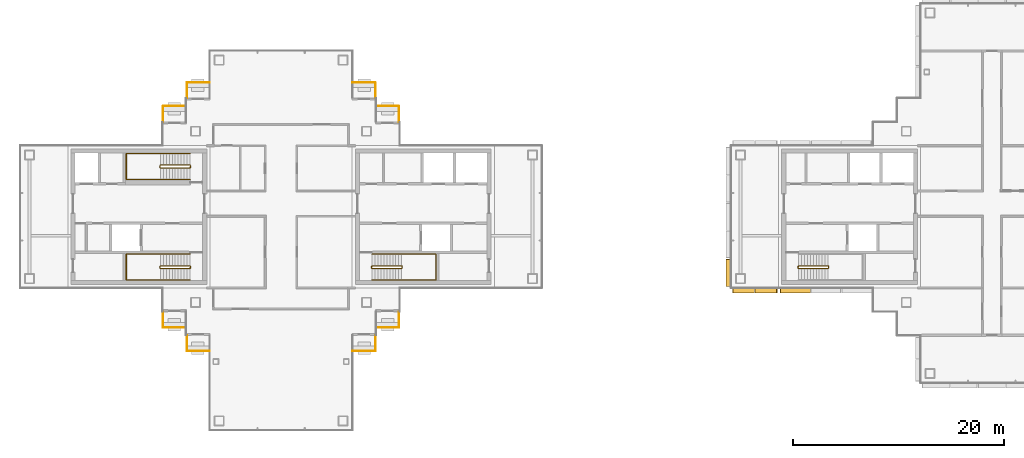
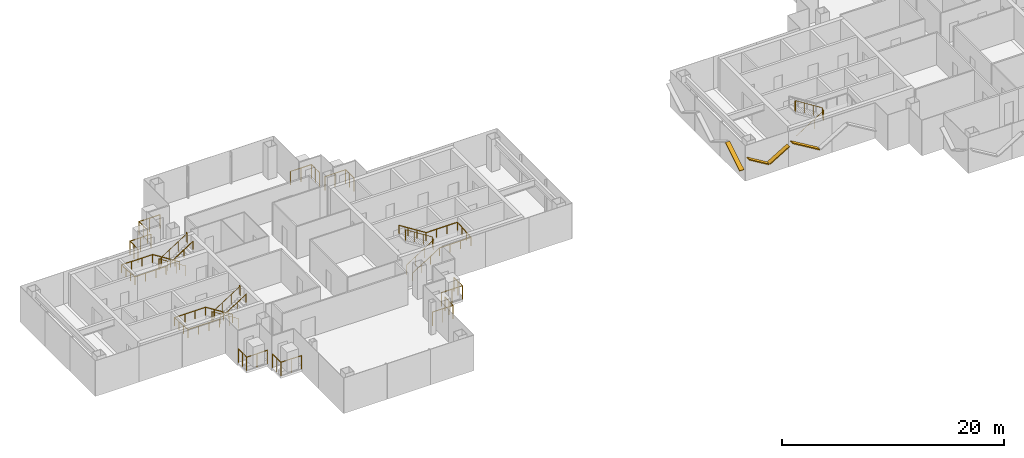
# One storey, part 14 of 17: 15 railings, 4 shading devices.
"""IFC4 building model written with IfcOpenShell, lengths in metres."""

import ifcopenshell
import ifcopenshell.guid

model = None  # the IFC model being written
_history = None  # IfcOwnerHistory: only IFC2X3 demands one
_inside = {}  # id of a spatial element -> (the spatial element, [elements in it])
_under = {}  # id of a project, library or spatial element -> (it, [spatial elements below it])
_declared = {}  # id of a project -> (the project, [libraries it declares])
_typed = {}  # id of a type object -> (the type object, [elements of that type])
_made_of = {}  # id of a material, layer set ... -> (it, [elements and type objects made of it])


def new_model(schema):
    """Start an empty IFC model of exactly this schema.

    Asked for "IFC4X3", IfcOpenShell would pick the latest addendum, in which some entities
    have other attributes; the version numbers below select the first issue.
    IFC2X3 requires an IfcOwnerHistory on every rooted entity: one is made here for all.
    """
    global model, _history
    if schema == "IFC4X3":
        model = ifcopenshell.file(schema_version=(4, 3, 0, 0))
    else:
        model = ifcopenshell.file(schema=schema)
    _inside.clear()
    _under.clear()
    _declared.clear()
    _typed.clear()
    _made_of.clear()
    _history = None
    if model.schema == "IFC2X3":
        org = make("IfcOrganization", Name="unknown")
        user = make(
            "IfcPersonAndOrganization",
            ThePerson=make("IfcPerson", FamilyName="unknown"),
            TheOrganization=org,
        )
        app = make(
            "IfcApplication",
            ApplicationDeveloper=org,
            Version="unknown",
            ApplicationFullName="unknown",
            ApplicationIdentifier="unknown",
        )
        _history = make(
            "IfcOwnerHistory",
            OwningUser=user,
            OwningApplication=app,
            ChangeAction="ADDED",
            CreationDate=0,
        )
    return model


def make(cls, **values):
    """One entity of the class cls with the attributes given. An attribute that is None is left unset."""
    return model.create_entity(
        cls, **{name: value for name, value in values.items() if value is not None}
    )


def rooted(cls, **values):
    """An entity with a GlobalId (a new one), such as an element, a storey or a relation."""
    return make(cls, GlobalId=ifcopenshell.guid.new(), OwnerHistory=_history, **values)


def si_unit(unit_type, name, prefix=None):
    """IfcSIUnit, for example si_unit("LENGTHUNIT", "METRE", prefix="MILLI")."""
    return make("IfcSIUnit", UnitType=unit_type, Prefix=prefix, Name=name)


def assignment(units):
    """IfcUnitAssignment: the units of a project."""
    return None if units is None else make("IfcUnitAssignment", Units=units)


def point(xyz):
    """IfcCartesianPoint."""
    return None if xyz is None else make("IfcCartesianPoint", Coordinates=xyz)


def direction(xyz):
    """IfcDirection."""
    return None if xyz is None else make("IfcDirection", DirectionRatios=xyz)


def frame(location, z_axis=None, x_axis=None):
    """IfcAxis2Placement3D, a coordinate frame: its origin and axes. An axis left out is left unset."""
    return make(
        "IfcAxis2Placement3D",
        Location=point(location),
        Axis=direction(z_axis),
        RefDirection=direction(x_axis),
    )


def frame_2d(location, x_axis=None):
    """IfcAxis2Placement2D, a coordinate frame in the plane: its origin and x axis."""
    return make(
        "IfcAxis2Placement2D", Location=point(location), RefDirection=direction(x_axis)
    )


def origin():
    """The frame at (0, 0, 0) with its axes left unset."""
    return frame((0.0, 0.0, 0.0))


def origin_2d():
    """The frame at (0, 0) in the plane with its x axis left unset."""
    return frame_2d((0.0, 0.0))


def place(relative_to, where):
    """IfcLocalPlacement: puts the frame where relative to a parent placement (None: the world)."""
    return make(
        "IfcLocalPlacement", PlacementRelTo=relative_to, RelativePlacement=where
    )


def context(
    kind, dimensions, precision=None, world=None, true_north=None, identifier=None
):
    """IfcGeometricRepresentationContext, for example the 3D "Model" context."""
    return make(
        "IfcGeometricRepresentationContext",
        ContextIdentifier=identifier,
        ContextType=kind,
        CoordinateSpaceDimension=dimensions,
        Precision=precision,
        WorldCoordinateSystem=world,
        TrueNorth=true_north,
    )


def subcontext(parent, identifier, kind, view, scale=None):
    """IfcGeometricRepresentationSubContext, for example "Body" below "Model"."""
    return make(
        "IfcGeometricRepresentationSubContext",
        ContextIdentifier=identifier,
        ContextType=kind,
        ParentContext=parent,
        TargetScale=scale,
        TargetView=view,
    )


def project(units=None, contexts=None):
    """IfcProject with its units and contexts."""
    return rooted(
        "IfcProject",
        Name="project",
        RepresentationContexts=contexts,
        UnitsInContext=assignment(units),
    )


def spatial(cls, under=None, at=None, **own):
    """A site, building, storey or space (cls), placed at a placement, below another one or the project."""
    s = rooted(cls, ObjectPlacement=at, **own)
    if under is not None:
        _under.setdefault(under.id(), (under, []))[1].append(s)
    return s


def profile(cls, at=None, kind="AREA", **sizes):
    """A parametric profile (cls). Its sizes go by their IFC names, for example OverallWidth=200.0."""
    return make(cls, ProfileType=kind, Position=at, **sizes)


def rectangle(**sizes):
    """IfcRectangleProfileDef."""
    return profile("IfcRectangleProfileDef", **sizes)


def circle(**sizes):
    """IfcCircleProfileDef."""
    return profile("IfcCircleProfileDef", **sizes)


def extrude(swept, where, along, depth):
    """IfcExtrudedAreaSolid: the profile swept, set in the frame where, extruded along a direction by depth."""
    return make(
        "IfcExtrudedAreaSolid",
        SweptArea=swept,
        Position=where,
        ExtrudedDirection=direction(along),
        Depth=depth,
    )


def shape(context_of_items, identifier, shape_type, items):
    """IfcShapeRepresentation: the items that make up one representation, for example the "Body"."""
    return make(
        "IfcShapeRepresentation",
        ContextOfItems=context_of_items,
        RepresentationIdentifier=identifier,
        RepresentationType=shape_type,
        Items=items,
    )


def material(Name=None, Category=None):
    """IfcMaterial."""
    return make("IfcMaterial", Name=Name, Category=Category)


def material_profile(
    of_material, cross_section, Name=None, Category=None, Priority=None
):
    """IfcMaterialProfile: a cross section and its material."""
    return make(
        "IfcMaterialProfile",
        Name=Name,
        Material=of_material,
        Profile=cross_section,
        Priority=Priority,
        Category=Category,
    )


def profile_set(profiles, Name=None, composite=None):
    """IfcMaterialProfileSet."""
    return make(
        "IfcMaterialProfileSet",
        Name=Name,
        MaterialProfiles=profiles,
        CompositeProfile=composite,
    )


def made_of(thing, what):
    """Note that an element or type object is made of a material, layer set ...; save() writes the relation."""
    if what is not None:
        _made_of.setdefault(what.id(), (what, []))[1].append(thing)
    return thing


def type_object(cls, material=None, **own):
    """A type object (cls), such as IfcWallType, which elements share."""
    return made_of(rooted(cls, **own), material)


def element(
    cls,
    number,
    at=None,
    inside=None,
    cuts=None,
    type_object=None,
    material=None,
    context=None,
    identifier="Body",
    shape_type=None,
    held_by="IfcProductDefinitionShape",
    body=None,
    shapes=None,
    **own,
):
    """One element of the class cls, such as IfcWall. Its Tag is "e" and its number.

    at: its placement. inside: the storey or other place that contains it. cuts: it is an
    opening in that element (IfcRelVoidsElement). A single representation is given by context,
    identifier, shape_type and body (its items); several are given by shapes. held_by: the class
    of the entity that holds the representations. save() writes the other relations.
    """
    e = rooted(cls, Tag="e%d" % number, ObjectPlacement=at, **own)
    if body is not None:
        shapes = [shape(context, identifier, shape_type, body)]
    if shapes is not None:
        e.Representation = make(held_by, Representations=shapes)
    if inside is not None:
        _inside.setdefault(inside.id(), (inside, []))[1].append(e)
    if cuts is not None:
        rooted(
            "IfcRelVoidsElement", RelatingBuildingElement=cuts, RelatedOpeningElement=e
        )
    if type_object is not None:
        _typed.setdefault(type_object.id(), (type_object, []))[1].append(e)
    return made_of(e, material)


def aggregate(whole, parts):
    """IfcRelAggregates: a whole, such as a stair, and the parts it consists of."""
    return rooted("IfcRelAggregates", RelatingObject=whole, RelatedObjects=parts)


def save(model, path):
    """Write the relations noted so far, then the file.

    IfcRelAggregates (storeys below a building ...), IfcRelContainedInSpatialStructure (elements
    in a storey), IfcRelDefinesByType, IfcRelAssociatesMaterial and IfcRelDeclares: one each for
    every whole, place, type object, material and project.
    """
    for whole, parts in _under.values():
        aggregate(whole, parts)
    for where, things in _inside.values():
        rooted(
            "IfcRelContainedInSpatialStructure",
            RelatedElements=things,
            RelatingStructure=where,
        )
    for kind, things in _typed.values():
        rooted("IfcRelDefinesByType", RelatedObjects=things, RelatingType=kind)
    for what, things in _made_of.values():
        rooted("IfcRelAssociatesMaterial", RelatedObjects=things, RelatingMaterial=what)
    for by, libraries in _declared.values():
        rooted("IfcRelDeclares", RelatingContext=by, RelatedDefinitions=libraries)
    model.write(path)


model = new_model("IFC4")

# Units and contexts
model_context = context("Model", 3, precision=1e-05, world=origin(), true_north=direction((0.0, 1.0)))
body_context = subcontext(model_context, "Body", "Model", "MODEL_VIEW")
ifc_project = project(units=[si_unit("LENGTHUNIT", "METRE"), si_unit("AREAUNIT", "SQUARE_METRE"), si_unit("VOLUMEUNIT", "CUBIC_METRE"), si_unit("PLANEANGLEUNIT", "RADIAN"), si_unit("MASSUNIT", "GRAM", prefix="KILO")], contexts=[model_context])

# Site, building, storey
site_placement = place(None, origin())
site = spatial("IfcSite", under=ifc_project, at=site_placement, CompositionType="ELEMENT")
building_placement = place(site_placement, origin())
building = spatial("IfcBuilding", under=site, at=building_placement, Name="Shamsa Quay Exchange Towers", CompositionType="ELEMENT")
storey_placement = place(building_placement, frame((0.0, 0.0, 253.800048828125)))
storey = spatial("IfcBuildingStorey", under=building, at=storey_placement, Name="L61", CompositionType="ELEMENT", Elevation=253.800048828125)

# Railings
ifc_material_1 = material(Name="Steel S355, black powder-coated", Category="steel")
railing_type_1 = type_object("IfcRailingType", Name="BALCONY GUARD 1500", PredefinedType="GUARDRAIL", material=ifc_material_1)
for number, where, name in (
    (1, (-22.550048828125, 9.02099609375, 0.0), "Balcony guard T1-PKEN L61"),
    (2, (-24.800048828125, 11.27099609375, 0.0), "Balcony guard T1-PKEN L61"),
):
    element("IfcRailing", number, at=place(storey_placement, frame(where)), inside=storey, type_object=railing_type_1, Name=name, PredefinedType="GUARDRAIL", context=body_context, shape_type="SweptSolid", body=[
        extrude(circle(Radius=0.02392578125, at=origin_2d()), frame((0.0, 0.0, 1.47607421875), z_axis=(0.0, 1.0, 0.0), x_axis=(-1.0, 0.0, 0.0)), (0.0, 0.0, 1.0), 1.47900390625),
        extrude(circle(Radius=0.02392578125, at=origin_2d()), frame((0.0, 1.47900390625, 1.47607421875), z_axis=(-1.0, 0.0, 0.0), x_axis=(0.0, -1.0, 0.0)), (0.0, 0.0, 1.0), 2.161865234375),
        extrude(circle(Radius=0.02099609375, at=origin_2d()), origin(), (0.0, 0.0, 1.0), 1.451904296875),
        extrude(circle(Radius=0.02099609375, at=origin_2d()), frame((0.0, 0.739501953125, 0.0)), (0.0, 0.0, 1.0), 1.451904296875),
        extrude(circle(Radius=0.02099609375, at=origin_2d()), frame((0.0, 1.47900390625, 0.0)), (0.0, 0.0, 1.0), 1.451904296875),
        extrude(circle(Radius=0.02099609375, at=origin_2d()), frame((-1.0810546875, 1.47900390625, 0.0)), (0.0, 0.0, 1.0), 1.451904296875),
        extrude(circle(Radius=0.02099609375, at=origin_2d()), frame((-2.161865234375, 1.47900390625, 0.0)), (0.0, 0.0, 1.0), 1.451904296875),
    ])
for number, where, name in (
    (3, (-24.7119140625, -10.5, 0.0), "Balcony guard T1-PKES L61"),
    (4, (-26.9619140625, -12.75, 0.0), "Balcony guard T1-PKES L61"),
):
    element("IfcRailing", number, at=place(storey_placement, frame(where)), inside=storey, type_object=railing_type_1, Name=name, PredefinedType="GUARDRAIL", context=body_context, shape_type="SweptSolid", body=[
        extrude(circle(Radius=0.02392578125, at=origin_2d()), frame((0.0, 0.0, 1.47607421875), z_axis=(1.0, 0.0, 0.0), x_axis=(0.0, 1.0, 0.0)), (0.0, 0.0, 1.0), 2.161865234375),
        extrude(circle(Radius=0.02392578125, at=origin_2d()), frame((2.161865234375, 0.0, 1.47607421875), z_axis=(0.0, 1.0, 0.0), x_axis=(-1.0, 0.0, 0.0)), (0.0, 0.0, 1.0), 1.47900390625),
        extrude(circle(Radius=0.02099609375, at=origin_2d()), origin(), (0.0, 0.0, 1.0), 1.451904296875),
        extrude(circle(Radius=0.02099609375, at=origin_2d()), frame((1.0810546875, 0.0, 0.0)), (0.0, 0.0, 1.0), 1.451904296875),
        extrude(circle(Radius=0.02099609375, at=origin_2d()), frame((2.161865234375, 0.0, 0.0)), (0.0, 0.0, 1.0), 1.451904296875),
        extrude(circle(Radius=0.02099609375, at=origin_2d()), frame((2.161865234375, 0.739501953125, 0.0)), (0.0, 0.0, 1.0), 1.451904296875),
        extrude(circle(Radius=0.02099609375, at=origin_2d()), frame((2.161865234375, 1.47900390625, 0.0)), (0.0, 0.0, 1.0), 1.451904296875),
    ])
for number, where, name in (
    (5, (-40.5380859375, 12.75, 0.0), "Balcony guard T1-PKWN L61"),
    (6, (-42.7880859375, 10.5, 0.0), "Balcony guard T1-PKWN L61"),
):
    element("IfcRailing", number, at=place(storey_placement, frame(where)), inside=storey, type_object=railing_type_1, Name=name, PredefinedType="GUARDRAIL", context=body_context, shape_type="SweptSolid", body=[
        extrude(circle(Radius=0.02392578125, at=origin_2d()), frame((0.0, 0.0, 1.47607421875), z_axis=(-1.0, 0.0, 0.0), x_axis=(0.0, -1.0, 0.0)), (0.0, 0.0, 1.0), 2.161865234375),
        extrude(circle(Radius=0.02392578125, at=origin_2d()), frame((-2.161865234375, 0.0, 1.47607421875), z_axis=(0.0, -1.0, 0.0), x_axis=(1.0, 0.0, 0.0)), (0.0, 0.0, 1.0), 1.47900390625),
        extrude(circle(Radius=0.02099609375, at=origin_2d()), origin(), (0.0, 0.0, 1.0), 1.451904296875),
        extrude(circle(Radius=0.02099609375, at=origin_2d()), frame((-1.0810546875, 0.0, 0.0)), (0.0, 0.0, 1.0), 1.451904296875),
        extrude(circle(Radius=0.02099609375, at=origin_2d()), frame((-2.161865234375, 0.0, 0.0)), (0.0, 0.0, 1.0), 1.451904296875),
        extrude(circle(Radius=0.02099609375, at=origin_2d()), frame((-2.161865234375, -0.739501953125, 0.0)), (0.0, 0.0, 1.0), 1.451904296875),
        extrude(circle(Radius=0.02099609375, at=origin_2d()), frame((-2.161865234375, -1.47900390625, 0.0)), (0.0, 0.0, 1.0), 1.451904296875),
    ])
for number, where, name in (
    (7, (-44.949951171875, -9.02099609375, 0.0), "Balcony guard T1-PKWS L61"),
    (8, (-42.699951171875, -11.27099609375, 0.0), "Balcony guard T1-PKWS L61"),
):
    element("IfcRailing", number, at=place(storey_placement, frame(where)), inside=storey, type_object=railing_type_1, Name=name, PredefinedType="GUARDRAIL", context=body_context, shape_type="SweptSolid", body=[
        extrude(circle(Radius=0.02392578125, at=origin_2d()), frame((0.0, 0.0, 1.47607421875), z_axis=(0.0, -1.0, 0.0), x_axis=(1.0, 0.0, 0.0)), (0.0, 0.0, 1.0), 1.47900390625),
        extrude(circle(Radius=0.02392578125, at=origin_2d()), frame((0.0, -1.47900390625, 1.47607421875), z_axis=(1.0, 0.0, 0.0), x_axis=(0.0, 1.0, 0.0)), (0.0, 0.0, 1.0), 2.161865234375),
        extrude(circle(Radius=0.02099609375, at=origin_2d()), origin(), (0.0, 0.0, 1.0), 1.451904296875),
        extrude(circle(Radius=0.02099609375, at=origin_2d()), frame((0.0, -0.739501953125, 0.0)), (0.0, 0.0, 1.0), 1.451904296875),
        extrude(circle(Radius=0.02099609375, at=origin_2d()), frame((0.0, -1.47900390625, 0.0)), (0.0, 0.0, 1.0), 1.451904296875),
        extrude(circle(Radius=0.02099609375, at=origin_2d()), frame((1.0810546875, -1.47900390625, 0.0)), (0.0, 0.0, 1.0), 1.451904296875),
        extrude(circle(Radius=0.02099609375, at=origin_2d()), frame((2.161865234375, -1.47900390625, 0.0)), (0.0, 0.0, 1.0), 1.451904296875),
    ])

# Shading devices
ifc_material_2 = material(Name="Aluminium EN AW-6063 T6, black anodised", Category="aluminium")
ifc_material_profile = material_profile(ifc_material_2, rectangle(XDim=0.449951171875, YDim=0.10009765625, at=origin_2d()), Name="FIN450x100")
ifc_profile_set = profile_set([ifc_material_profile], Name="Aluminium EN AW-6063 T6, black anodised")
shading_device_type = type_object("IfcShadingDeviceType", Name="FIN 450x100 BLACK ALUMINIUM", PredefinedType="USERDEFINED", material=ifc_profile_set)
shading_device_1_placement = place(storey_placement, frame((8.735107421875, -4.010009765625, 2.378173828125), z_axis=(0.0, -0.857150546907, -0.51506595688), x_axis=(1.0, 0.0, 0.0)))
element("IfcShadingDevice", 9, at=shading_device_1_placement, inside=storey, type_object=shading_device_type, Name="FIN T2 chevron rib", ObjectType="FIN", PredefinedType="USERDEFINED", context=body_context, shape_type="SweptSolid", body=[
    extrude(rectangle(XDim=0.449951171875, YDim=0.10009765625, at=origin_2d()), origin(), (0.0, 0.0, 1.0), 3.021728515625),
])
for number, where, z_axis, x_axis, name in (
    (10, (9.14990234375, -7.014892578125, 2.2158203125), (0.857186526385, 0.0, -0.515006076648), (0.0, 1.0, 0.0), "FIN T2 chevron rib"),
    (11, (11.300048828125, -7.014892578125, 0.984130859375), (0.857186526385, 0.0, 0.515006076648), (0.0, 1.0, 0.0), "FIN T2 chevron rib"),
):
    element("IfcShadingDevice", number, at=place(storey_placement, frame(where, z_axis=z_axis, x_axis=x_axis)), inside=storey, type_object=shading_device_type, Name=name, ObjectType="FIN", PredefinedType="USERDEFINED", context=body_context, shape_type="SweptSolid", body=[
        extrude(rectangle(XDim=0.449951171875, YDim=0.10009765625, at=origin_2d()), origin(), (0.0, 0.0, 1.0), 2.3916015625),
    ])
shading_device_2_placement = place(storey_placement, frame((13.64990234375, -7.01904296875, 2.456298828125), z_axis=(0.857149370538, 0.0, -0.515067914538), x_axis=(0.0, 1.0, 0.0)))
element("IfcShadingDevice", 12, at=shading_device_2_placement, inside=storey, type_object=shading_device_type, Name="FIN T2 chevron rib", ObjectType="FIN", PredefinedType="USERDEFINED", context=body_context, shape_type="SweptSolid", body=[
    extrude(rectangle(XDim=0.449951171875, YDim=0.10009765625, at=origin_2d()), origin(), (0.0, 0.0, 1.0), 3.3251953125),
])

# Railings
ifc_material_3 = material(Name="Stainless steel", Category="steel")
railing_type_2 = type_object("IfcRailingType", Name="STAIR GUARD 1100", PredefinedType="GUARDRAIL", material=ifc_material_3)
railing_1_placement = place(storey_placement, frame((-25.10009765625, -4.89990234375, 0.17724609375)))
element("IfcRailing", 13, at=railing_1_placement, inside=storey, type_object=railing_type_2, Name="L61 ST1 stair guard 1", PredefinedType="GUARDRAIL", context=body_context, shape_type="SweptSolid", body=[
    extrude(circle(Radius=0.02392578125, at=origin_2d()), frame((0.0, 0.0, 1.076171875), z_axis=(0.844908973607, 0.0, 0.534910110503), x_axis=(0.0, 1.0, 0.0)), (0.0, 0.0, 1.0), 3.31396484375),
    extrude(circle(Radius=0.02392578125, at=origin_2d()), frame((2.800048828125, 0.0, 2.8486328125), z_axis=(0.708833529934, 0.705375805398, 0.0), x_axis=(-0.705375805398, 0.708833529934, 0.0)), (0.0, 0.0, 1.0), 0.070556640625),
    extrude(circle(Radius=0.02392578125, at=origin_2d()), frame((2.85009765625, 0.0498046875, 2.8486328125), z_axis=(0.0, 1.0, 0.0), x_axis=(-1.0, 0.0, 0.0)), (0.0, 0.0, 1.0), 0.150146484375),
    extrude(circle(Radius=0.02392578125, at=origin_2d()), frame((2.85009765625, 0.199951171875, 2.8486328125), z_axis=(-0.262233686654, 0.262233686654, 0.928691007369), x_axis=(-0.707106781187, -0.707106781187, 0.0)), (0.0, 0.0, 1.0), 0.19091796875),
    extrude(circle(Radius=0.02392578125, at=origin_2d()), frame((2.800048828125, 0.25, 3.02587890625), z_axis=(-0.844908973607, 0.0, 0.534910110503), x_axis=(0.0, -1.0, 0.0)), (0.0, 0.0, 1.0), 3.31396484375),
    extrude(circle(Radius=0.02392578125, at=origin_2d()), frame((0.0, 0.25, 4.798828125), z_axis=(-0.24142163986, -0.970420317083, 0.0), x_axis=(0.970420317083, -0.24142163986, 0.0)), (0.0, 0.0, 1.0), 0.206298828125),
    extrude(circle(Radius=0.02392578125, at=origin_2d()), frame((-0.0498046875, 0.0498046875, 4.798828125), z_axis=(0.0, 1.0, 0.0), x_axis=(-1.0, 0.0, 0.0)), (0.0, 0.0, 1.0), 0.150146484375),
    extrude(circle(Radius=0.02099609375, at=origin_2d()), origin(), (0.0, 0.0, 1.0), 1.052001953125),
    extrude(circle(Radius=0.02099609375, at=origin_2d()), frame((0.933349609375, 0.0, 0.5908203125)), (0.0, 0.0, 1.0), 1.052001953125),
    extrude(circle(Radius=0.02099609375, at=origin_2d()), frame((1.86669921875, 0.0, 1.181884765625)), (0.0, 0.0, 1.0), 1.052001953125),
    extrude(circle(Radius=0.02099609375, at=origin_2d()), frame((2.800048828125, 0.0, 1.772705078125)), (0.0, 0.0, 1.0), 1.052001953125),
    extrude(circle(Radius=0.02099609375, at=origin_2d()), frame((2.85009765625, 0.0498046875, 1.772705078125)), (0.0, 0.0, 1.0), 1.052001953125),
    extrude(circle(Radius=0.02099609375, at=origin_2d()), frame((2.85009765625, 0.199951171875, 1.772705078125)), (0.0, 0.0, 1.0), 1.052001953125),
    extrude(circle(Radius=0.02099609375, at=origin_2d()), frame((2.800048828125, 0.25, 1.949951171875)), (0.0, 0.0, 1.0), 1.052001953125),
    extrude(circle(Radius=0.02099609375, at=origin_2d()), frame((1.86669921875, 0.25, 2.540771484375)), (0.0, 0.0, 1.0), 1.052001953125),
    extrude(circle(Radius=0.02099609375, at=origin_2d()), frame((0.933349609375, 0.25, 3.1318359375)), (0.0, 0.0, 1.0), 1.052001953125),
    extrude(circle(Radius=0.02099609375, at=origin_2d()), frame((0.0, 0.25, 3.72265625)), (0.0, 0.0, 1.0), 1.052001953125),
    extrude(circle(Radius=0.02099609375, at=origin_2d()), frame((-0.0498046875, 0.0498046875, 3.72265625)), (0.0, 0.0, 1.0), 1.052001953125),
    extrude(circle(Radius=0.02099609375, at=origin_2d()), frame((-0.0498046875, 0.199951171875, 3.72265625)), (0.0, 0.0, 1.0), 1.052001953125),
])
railing_2_placement = place(storey_placement, frame((-42.39990234375, -4.64990234375, 0.17724609375)))
element("IfcRailing", 14, at=railing_2_placement, inside=storey, type_object=railing_type_2, Name="L61 ST2 stair guard 1", PredefinedType="GUARDRAIL", context=body_context, shape_type="SweptSolid", body=[
    extrude(circle(Radius=0.02392578125, at=origin_2d()), frame((0.0, 0.0, 1.076171875), z_axis=(-0.844908973607, 0.0, 0.534910110503), x_axis=(0.0, -1.0, 0.0)), (0.0, 0.0, 1.0), 3.31396484375),
    extrude(circle(Radius=0.02392578125, at=origin_2d()), frame((-2.800048828125, 0.0, 2.8486328125), z_axis=(-0.707106781187, -0.707106781187, 0.0), x_axis=(0.707106781187, -0.707106781187, 0.0)), (0.0, 0.0, 1.0), 0.07080078125),
    extrude(circle(Radius=0.02392578125, at=origin_2d()), frame((-2.85009765625, -0.050048828125, 2.8486328125), z_axis=(0.0, -1.0, 0.0), x_axis=(1.0, 0.0, 0.0)), (0.0, 0.0, 1.0), 0.150146484375),
    extrude(circle(Radius=0.02392578125, at=origin_2d()), frame((-2.85009765625, -0.2001953125, 2.8486328125), z_axis=(0.262321481514, -0.261041864531, 0.929001929653), x_axis=(0.705375805398, 0.708833529934, 0.0)), (0.0, 0.0, 1.0), 0.190673828125),
    extrude(circle(Radius=0.02392578125, at=origin_2d()), frame((-2.800048828125, -0.25, 3.02587890625), z_axis=(0.844908973607, 0.0, 0.534910110503), x_axis=(0.0, 1.0, 0.0)), (0.0, 0.0, 1.0), 3.31396484375),
    extrude(circle(Radius=0.02392578125, at=origin_2d()), frame((0.0, -0.25, 4.798828125), z_axis=(0.241699205484, 0.970351222016, 0.0), x_axis=(-0.970351222016, 0.241699205484, 0.0)), (0.0, 0.0, 1.0), 0.2060546875),
    extrude(circle(Radius=0.02392578125, at=origin_2d()), frame((0.0498046875, -0.050048828125, 4.798828125), z_axis=(0.0, -1.0, 0.0), x_axis=(1.0, 0.0, 0.0)), (0.0, 0.0, 1.0), 0.150146484375),
    extrude(circle(Radius=0.02099609375, at=origin_2d()), origin(), (0.0, 0.0, 1.0), 1.052001953125),
    extrude(circle(Radius=0.02099609375, at=origin_2d()), frame((-0.933349609375, 0.0, 0.5908203125)), (0.0, 0.0, 1.0), 1.052001953125),
    extrude(circle(Radius=0.02099609375, at=origin_2d()), frame((-1.86669921875, 0.0, 1.181884765625)), (0.0, 0.0, 1.0), 1.052001953125),
    extrude(circle(Radius=0.02099609375, at=origin_2d()), frame((-2.800048828125, 0.0, 1.772705078125)), (0.0, 0.0, 1.0), 1.052001953125),
    extrude(circle(Radius=0.02099609375, at=origin_2d()), frame((-2.85009765625, -0.050048828125, 1.772705078125)), (0.0, 0.0, 1.0), 1.052001953125),
    extrude(circle(Radius=0.02099609375, at=origin_2d()), frame((-2.85009765625, -0.2001953125, 1.772705078125)), (0.0, 0.0, 1.0), 1.052001953125),
    extrude(circle(Radius=0.02099609375, at=origin_2d()), frame((-2.800048828125, -0.25, 1.949951171875)), (0.0, 0.0, 1.0), 1.052001953125),
    extrude(circle(Radius=0.02099609375, at=origin_2d()), frame((-1.86669921875, -0.25, 2.540771484375)), (0.0, 0.0, 1.0), 1.052001953125),
    extrude(circle(Radius=0.02099609375, at=origin_2d()), frame((-0.933349609375, -0.25, 3.1318359375)), (0.0, 0.0, 1.0), 1.052001953125),
    extrude(circle(Radius=0.02099609375, at=origin_2d()), frame((0.0, -0.25, 3.72265625)), (0.0, 0.0, 1.0), 1.052001953125),
    extrude(circle(Radius=0.02099609375, at=origin_2d()), frame((0.0498046875, -0.050048828125, 3.72265625)), (0.0, 0.0, 1.0), 1.052001953125),
    extrude(circle(Radius=0.02099609375, at=origin_2d()), frame((0.0498046875, -0.2001953125, 3.72265625)), (0.0, 0.0, 1.0), 1.052001953125),
])
railing_3_placement = place(storey_placement, frame((-42.39990234375, 4.89990234375, 0.17724609375)))
element("IfcRailing", 15, at=railing_3_placement, inside=storey, type_object=railing_type_2, Name="L61 ST3 stair guard 1", PredefinedType="GUARDRAIL", context=body_context, shape_type="SweptSolid", body=[
    extrude(circle(Radius=0.02392578125, at=origin_2d()), frame((0.0, 0.0, 1.076171875), z_axis=(-0.844908973607, 0.0, 0.534910110503), x_axis=(0.0, -1.0, 0.0)), (0.0, 0.0, 1.0), 3.31396484375),
    extrude(circle(Radius=0.02392578125, at=origin_2d()), frame((-2.800048828125, 0.0, 2.8486328125), z_axis=(-0.708833529934, -0.705375805398, 0.0), x_axis=(0.705375805398, -0.708833529934, 0.0)), (0.0, 0.0, 1.0), 0.070556640625),
    extrude(circle(Radius=0.02392578125, at=origin_2d()), frame((-2.85009765625, -0.0498046875, 2.8486328125), z_axis=(0.0, -1.0, 0.0), x_axis=(1.0, 0.0, 0.0)), (0.0, 0.0, 1.0), 0.150146484375),
    extrude(circle(Radius=0.02392578125, at=origin_2d()), frame((-2.85009765625, -0.199951171875, 2.8486328125), z_axis=(0.262233686654, -0.262233686654, 0.928691007369), x_axis=(0.707106781187, 0.707106781187, 0.0)), (0.0, 0.0, 1.0), 0.19091796875),
    extrude(circle(Radius=0.02392578125, at=origin_2d()), frame((-2.800048828125, -0.25, 3.02587890625), z_axis=(0.844908973607, 0.0, 0.534910110503), x_axis=(0.0, 1.0, 0.0)), (0.0, 0.0, 1.0), 3.31396484375),
    extrude(circle(Radius=0.02392578125, at=origin_2d()), frame((0.0, -0.25, 4.798828125), z_axis=(0.24142163986, 0.970420317083, 0.0), x_axis=(-0.970420317083, 0.24142163986, 0.0)), (0.0, 0.0, 1.0), 0.206298828125),
    extrude(circle(Radius=0.02392578125, at=origin_2d()), frame((0.0498046875, -0.0498046875, 4.798828125), z_axis=(0.0, -1.0, 0.0), x_axis=(1.0, 0.0, 0.0)), (0.0, 0.0, 1.0), 0.150146484375),
    extrude(circle(Radius=0.02099609375, at=origin_2d()), origin(), (0.0, 0.0, 1.0), 1.052001953125),
    extrude(circle(Radius=0.02099609375, at=origin_2d()), frame((-0.933349609375, 0.0, 0.5908203125)), (0.0, 0.0, 1.0), 1.052001953125),
    extrude(circle(Radius=0.02099609375, at=origin_2d()), frame((-1.86669921875, 0.0, 1.181884765625)), (0.0, 0.0, 1.0), 1.052001953125),
    extrude(circle(Radius=0.02099609375, at=origin_2d()), frame((-2.800048828125, 0.0, 1.772705078125)), (0.0, 0.0, 1.0), 1.052001953125),
    extrude(circle(Radius=0.02099609375, at=origin_2d()), frame((-2.85009765625, -0.0498046875, 1.772705078125)), (0.0, 0.0, 1.0), 1.052001953125),
    extrude(circle(Radius=0.02099609375, at=origin_2d()), frame((-2.85009765625, -0.199951171875, 1.772705078125)), (0.0, 0.0, 1.0), 1.052001953125),
    extrude(circle(Radius=0.02099609375, at=origin_2d()), frame((-2.800048828125, -0.25, 1.949951171875)), (0.0, 0.0, 1.0), 1.052001953125),
    extrude(circle(Radius=0.02099609375, at=origin_2d()), frame((-1.86669921875, -0.25, 2.540771484375)), (0.0, 0.0, 1.0), 1.052001953125),
    extrude(circle(Radius=0.02099609375, at=origin_2d()), frame((-0.933349609375, -0.25, 3.1318359375)), (0.0, 0.0, 1.0), 1.052001953125),
    extrude(circle(Radius=0.02099609375, at=origin_2d()), frame((0.0, -0.25, 3.72265625)), (0.0, 0.0, 1.0), 1.052001953125),
    extrude(circle(Radius=0.02099609375, at=origin_2d()), frame((0.0498046875, -0.0498046875, 3.72265625)), (0.0, 0.0, 1.0), 1.052001953125),
    extrude(circle(Radius=0.02099609375, at=origin_2d()), frame((0.0498046875, -0.199951171875, 3.72265625)), (0.0, 0.0, 1.0), 1.052001953125),
])
railing_4_placement = place(storey_placement, frame((15.39990234375, -4.89990234375, 0.17724609375)))
element("IfcRailing", 16, at=railing_4_placement, inside=storey, type_object=railing_type_2, Name="L61 ST4 stair guard 1", PredefinedType="GUARDRAIL", context=body_context, shape_type="SweptSolid", body=[
    extrude(circle(Radius=0.02392578125, at=origin_2d()), frame((0.0, 0.0, 1.076171875), z_axis=(0.844908973607, 0.0, 0.534910110503), x_axis=(0.0, 1.0, 0.0)), (0.0, 0.0, 1.0), 3.31396484375),
    extrude(circle(Radius=0.02392578125, at=origin_2d()), frame((2.800048828125, 0.0, 2.8486328125), z_axis=(0.708833529934, 0.705375805398, 0.0), x_axis=(-0.705375805398, 0.708833529934, 0.0)), (0.0, 0.0, 1.0), 0.070556640625),
    extrude(circle(Radius=0.02392578125, at=origin_2d()), frame((2.85009765625, 0.0498046875, 2.8486328125), z_axis=(0.0, 1.0, 0.0), x_axis=(-1.0, 0.0, 0.0)), (0.0, 0.0, 1.0), 0.150146484375),
    extrude(circle(Radius=0.02392578125, at=origin_2d()), frame((2.85009765625, 0.199951171875, 2.8486328125), z_axis=(-0.262233686654, 0.262233686654, 0.928691007369), x_axis=(-0.707106781187, -0.707106781187, 0.0)), (0.0, 0.0, 1.0), 0.19091796875),
    extrude(circle(Radius=0.02392578125, at=origin_2d()), frame((2.800048828125, 0.25, 3.02587890625), z_axis=(-0.844908973607, 0.0, 0.534910110503), x_axis=(0.0, -1.0, 0.0)), (0.0, 0.0, 1.0), 3.31396484375),
    extrude(circle(Radius=0.02392578125, at=origin_2d()), frame((0.0, 0.25, 4.798828125), z_axis=(-0.24142163986, -0.970420317083, 0.0), x_axis=(0.970420317083, -0.24142163986, 0.0)), (0.0, 0.0, 1.0), 0.206298828125),
    extrude(circle(Radius=0.02392578125, at=origin_2d()), frame((-0.0498046875, 0.0498046875, 4.798828125), z_axis=(0.0, 1.0, 0.0), x_axis=(-1.0, 0.0, 0.0)), (0.0, 0.0, 1.0), 0.150146484375),
    extrude(circle(Radius=0.02099609375, at=origin_2d()), origin(), (0.0, 0.0, 1.0), 1.052001953125),
    extrude(circle(Radius=0.02099609375, at=origin_2d()), frame((0.933349609375, 0.0, 0.5908203125)), (0.0, 0.0, 1.0), 1.052001953125),
    extrude(circle(Radius=0.02099609375, at=origin_2d()), frame((1.86669921875, 0.0, 1.181884765625)), (0.0, 0.0, 1.0), 1.052001953125),
    extrude(circle(Radius=0.02099609375, at=origin_2d()), frame((2.800048828125, 0.0, 1.772705078125)), (0.0, 0.0, 1.0), 1.052001953125),
    extrude(circle(Radius=0.02099609375, at=origin_2d()), frame((2.85009765625, 0.0498046875, 1.772705078125)), (0.0, 0.0, 1.0), 1.052001953125),
    extrude(circle(Radius=0.02099609375, at=origin_2d()), frame((2.85009765625, 0.199951171875, 1.772705078125)), (0.0, 0.0, 1.0), 1.052001953125),
    extrude(circle(Radius=0.02099609375, at=origin_2d()), frame((2.800048828125, 0.25, 1.949951171875)), (0.0, 0.0, 1.0), 1.052001953125),
    extrude(circle(Radius=0.02099609375, at=origin_2d()), frame((1.86669921875, 0.25, 2.540771484375)), (0.0, 0.0, 1.0), 1.052001953125),
    extrude(circle(Radius=0.02099609375, at=origin_2d()), frame((0.933349609375, 0.25, 3.1318359375)), (0.0, 0.0, 1.0), 1.052001953125),
    extrude(circle(Radius=0.02099609375, at=origin_2d()), frame((0.0, 0.25, 3.72265625)), (0.0, 0.0, 1.0), 1.052001953125),
    extrude(circle(Radius=0.02099609375, at=origin_2d()), frame((-0.0498046875, 0.0498046875, 3.72265625)), (0.0, 0.0, 1.0), 1.052001953125),
    extrude(circle(Radius=0.02099609375, at=origin_2d()), frame((-0.0498046875, 0.199951171875, 3.72265625)), (0.0, 0.0, 1.0), 1.052001953125),
])
railing_type_3 = type_object("IfcRailingType", Name="STAIR HANDRAIL 900", PredefinedType="HANDRAIL", material=ifc_material_3)
railing_5_placement = place(storey_placement, frame((-25.10009765625, -6.0, 0.17724609375)))
element("IfcRailing", 17, at=railing_5_placement, inside=storey, type_object=railing_type_3, Name="L61 ST1 stair handrail 1", PredefinedType="HANDRAIL", context=body_context, shape_type="SweptSolid", body=[
    extrude(circle(Radius=0.02392578125, at=origin_2d()), frame((0.0, 0.0, 0.8759765625), z_axis=(0.844908973607, 0.0, 0.534910110503), x_axis=(0.0, 1.0, 0.0)), (0.0, 0.0, 1.0), 3.31396484375),
    extrude(circle(Radius=0.02392578125, at=origin_2d()), frame((2.800048828125, 0.0, 2.6484375), z_axis=(1.0, 0.0, 0.0), x_axis=(0.0, 1.0, 0.0)), (0.0, 0.0, 1.0), 3.25),
    extrude(circle(Radius=0.02392578125, at=origin_2d()), frame((6.050048828125, 0.0, 2.6484375), z_axis=(0.0, 0.997393199914, 0.07215819264), x_axis=(-1.0, 0.0, 0.0)), (0.0, 0.0, 1.0), 2.456298828125),
    extrude(circle(Radius=0.02392578125, at=origin_2d()), frame((6.050048828125, 2.449951171875, 2.82568359375), z_axis=(-1.0, 0.0, 0.0), x_axis=(0.0, -1.0, 0.0)), (0.0, 0.0, 1.0), 3.25),
    extrude(circle(Radius=0.02392578125, at=origin_2d()), frame((2.800048828125, 2.449951171875, 2.82568359375), z_axis=(-0.844908973607, 0.0, 0.534910110503), x_axis=(0.0, -1.0, 0.0)), (0.0, 0.0, 1.0), 3.31396484375),
    extrude(circle(Radius=0.02099609375, at=origin_2d()), origin(), (0.0, 0.0, 1.0), 0.851806640625),
    extrude(circle(Radius=0.02099609375, at=origin_2d()), frame((0.933349609375, 0.0, 0.5908203125)), (0.0, 0.0, 1.0), 0.851806640625),
    extrude(circle(Radius=0.02099609375, at=origin_2d()), frame((1.86669921875, 0.0, 1.181884765625)), (0.0, 0.0, 1.0), 0.851806640625),
    extrude(circle(Radius=0.02099609375, at=origin_2d()), frame((2.800048828125, 0.0, 1.772705078125)), (0.0, 0.0, 1.0), 0.851806640625),
    extrude(circle(Radius=0.02099609375, at=origin_2d()), frame((3.88330078125, 0.0, 1.772705078125)), (0.0, 0.0, 1.0), 0.851806640625),
    extrude(circle(Radius=0.02099609375, at=origin_2d()), frame((4.966796875, 0.0, 1.772705078125)), (0.0, 0.0, 1.0), 0.851806640625),
    extrude(circle(Radius=0.02099609375, at=origin_2d()), frame((6.050048828125, 0.0, 1.772705078125)), (0.0, 0.0, 1.0), 0.851806640625),
    extrude(circle(Radius=0.02099609375, at=origin_2d()), frame((6.050048828125, 0.816650390625, 1.831787109375)), (0.0, 0.0, 1.0), 0.851806640625),
    extrude(circle(Radius=0.02099609375, at=origin_2d()), frame((6.050048828125, 1.63330078125, 1.890869140625)), (0.0, 0.0, 1.0), 0.851806640625),
    extrude(circle(Radius=0.02099609375, at=origin_2d()), frame((6.050048828125, 2.449951171875, 1.949951171875)), (0.0, 0.0, 1.0), 0.851806640625),
    extrude(circle(Radius=0.02099609375, at=origin_2d()), frame((4.966796875, 2.449951171875, 1.949951171875)), (0.0, 0.0, 1.0), 0.851806640625),
    extrude(circle(Radius=0.02099609375, at=origin_2d()), frame((3.88330078125, 2.449951171875, 1.949951171875)), (0.0, 0.0, 1.0), 0.851806640625),
    extrude(circle(Radius=0.02099609375, at=origin_2d()), frame((2.800048828125, 2.449951171875, 1.949951171875)), (0.0, 0.0, 1.0), 0.851806640625),
    extrude(circle(Radius=0.02099609375, at=origin_2d()), frame((1.86669921875, 2.449951171875, 2.540771484375)), (0.0, 0.0, 1.0), 0.851806640625),
    extrude(circle(Radius=0.02099609375, at=origin_2d()), frame((0.933349609375, 2.449951171875, 3.1318359375)), (0.0, 0.0, 1.0), 0.851806640625),
    extrude(circle(Radius=0.02099609375, at=origin_2d()), frame((0.0, 2.449951171875, 3.72265625)), (0.0, 0.0, 1.0), 0.851806640625),
])
railing_6_placement = place(storey_placement, frame((-42.39990234375, -3.550048828125, 0.17724609375)))
element("IfcRailing", 18, at=railing_6_placement, inside=storey, type_object=railing_type_3, Name="L61 ST2 stair handrail 1", PredefinedType="HANDRAIL", context=body_context, shape_type="SweptSolid", body=[
    extrude(circle(Radius=0.02392578125, at=origin_2d()), frame((0.0, 0.0, 0.8759765625), z_axis=(-0.844908973607, 0.0, 0.534910110503), x_axis=(0.0, -1.0, 0.0)), (0.0, 0.0, 1.0), 3.31396484375),
    extrude(circle(Radius=0.02392578125, at=origin_2d()), frame((-2.800048828125, 0.0, 2.6484375), z_axis=(-1.0, 0.0, 0.0), x_axis=(0.0, -1.0, 0.0)), (0.0, 0.0, 1.0), 3.25),
    extrude(circle(Radius=0.02392578125, at=origin_2d()), frame((-6.050048828125, 0.0, 2.6484375), z_axis=(0.0, -0.997393199914, 0.07215819264), x_axis=(1.0, 0.0, 0.0)), (0.0, 0.0, 1.0), 2.456298828125),
    extrude(circle(Radius=0.02392578125, at=origin_2d()), frame((-6.050048828125, -2.449951171875, 2.82568359375), z_axis=(1.0, 0.0, 0.0), x_axis=(0.0, 1.0, 0.0)), (0.0, 0.0, 1.0), 3.25),
    extrude(circle(Radius=0.02392578125, at=origin_2d()), frame((-2.800048828125, -2.449951171875, 2.82568359375), z_axis=(0.844908973607, 0.0, 0.534910110503), x_axis=(0.0, 1.0, 0.0)), (0.0, 0.0, 1.0), 3.31396484375),
    extrude(circle(Radius=0.02099609375, at=origin_2d()), origin(), (0.0, 0.0, 1.0), 0.851806640625),
    extrude(circle(Radius=0.02099609375, at=origin_2d()), frame((-0.933349609375, 0.0, 0.5908203125)), (0.0, 0.0, 1.0), 0.851806640625),
    extrude(circle(Radius=0.02099609375, at=origin_2d()), frame((-1.86669921875, 0.0, 1.181884765625)), (0.0, 0.0, 1.0), 0.851806640625),
    extrude(circle(Radius=0.02099609375, at=origin_2d()), frame((-2.800048828125, 0.0, 1.772705078125)), (0.0, 0.0, 1.0), 0.851806640625),
    extrude(circle(Radius=0.02099609375, at=origin_2d()), frame((-3.88330078125, 0.0, 1.772705078125)), (0.0, 0.0, 1.0), 0.851806640625),
    extrude(circle(Radius=0.02099609375, at=origin_2d()), frame((-4.966796875, 0.0, 1.772705078125)), (0.0, 0.0, 1.0), 0.851806640625),
    extrude(circle(Radius=0.02099609375, at=origin_2d()), frame((-6.050048828125, 0.0, 1.772705078125)), (0.0, 0.0, 1.0), 0.851806640625),
    extrude(circle(Radius=0.02099609375, at=origin_2d()), frame((-6.050048828125, -0.816650390625, 1.831787109375)), (0.0, 0.0, 1.0), 0.851806640625),
    extrude(circle(Radius=0.02099609375, at=origin_2d()), frame((-6.050048828125, -1.63330078125, 1.890869140625)), (0.0, 0.0, 1.0), 0.851806640625),
    extrude(circle(Radius=0.02099609375, at=origin_2d()), frame((-6.050048828125, -2.449951171875, 1.949951171875)), (0.0, 0.0, 1.0), 0.851806640625),
    extrude(circle(Radius=0.02099609375, at=origin_2d()), frame((-4.966796875, -2.449951171875, 1.949951171875)), (0.0, 0.0, 1.0), 0.851806640625),
    extrude(circle(Radius=0.02099609375, at=origin_2d()), frame((-3.88330078125, -2.449951171875, 1.949951171875)), (0.0, 0.0, 1.0), 0.851806640625),
    extrude(circle(Radius=0.02099609375, at=origin_2d()), frame((-2.800048828125, -2.449951171875, 1.949951171875)), (0.0, 0.0, 1.0), 0.851806640625),
    extrude(circle(Radius=0.02099609375, at=origin_2d()), frame((-1.86669921875, -2.449951171875, 2.540771484375)), (0.0, 0.0, 1.0), 0.851806640625),
    extrude(circle(Radius=0.02099609375, at=origin_2d()), frame((-0.933349609375, -2.449951171875, 3.1318359375)), (0.0, 0.0, 1.0), 0.851806640625),
    extrude(circle(Radius=0.02099609375, at=origin_2d()), frame((0.0, -2.449951171875, 3.72265625)), (0.0, 0.0, 1.0), 0.851806640625),
])
railing_7_placement = place(storey_placement, frame((-42.39990234375, 6.0, 0.17724609375)))
element("IfcRailing", 19, at=railing_7_placement, inside=storey, type_object=railing_type_3, Name="L61 ST3 stair handrail 1", PredefinedType="HANDRAIL", context=body_context, shape_type="SweptSolid", body=[
    extrude(circle(Radius=0.02392578125, at=origin_2d()), frame((0.0, 0.0, 0.8759765625), z_axis=(-0.844908973607, 0.0, 0.534910110503), x_axis=(0.0, -1.0, 0.0)), (0.0, 0.0, 1.0), 3.31396484375),
    extrude(circle(Radius=0.02392578125, at=origin_2d()), frame((-2.800048828125, 0.0, 2.6484375), z_axis=(-1.0, 0.0, 0.0), x_axis=(0.0, -1.0, 0.0)), (0.0, 0.0, 1.0), 3.25),
    extrude(circle(Radius=0.02392578125, at=origin_2d()), frame((-6.050048828125, 0.0, 2.6484375), z_axis=(0.0, -0.997393199914, 0.07215819264), x_axis=(1.0, 0.0, 0.0)), (0.0, 0.0, 1.0), 2.456298828125),
    extrude(circle(Radius=0.02392578125, at=origin_2d()), frame((-6.050048828125, -2.449951171875, 2.82568359375), z_axis=(1.0, 0.0, 0.0), x_axis=(0.0, 1.0, 0.0)), (0.0, 0.0, 1.0), 3.25),
    extrude(circle(Radius=0.02392578125, at=origin_2d()), frame((-2.800048828125, -2.449951171875, 2.82568359375), z_axis=(0.844908973607, 0.0, 0.534910110503), x_axis=(0.0, 1.0, 0.0)), (0.0, 0.0, 1.0), 3.31396484375),
    extrude(circle(Radius=0.02099609375, at=origin_2d()), origin(), (0.0, 0.0, 1.0), 0.851806640625),
    extrude(circle(Radius=0.02099609375, at=origin_2d()), frame((-0.933349609375, 0.0, 0.5908203125)), (0.0, 0.0, 1.0), 0.851806640625),
    extrude(circle(Radius=0.02099609375, at=origin_2d()), frame((-1.86669921875, 0.0, 1.181884765625)), (0.0, 0.0, 1.0), 0.851806640625),
    extrude(circle(Radius=0.02099609375, at=origin_2d()), frame((-2.800048828125, 0.0, 1.772705078125)), (0.0, 0.0, 1.0), 0.851806640625),
    extrude(circle(Radius=0.02099609375, at=origin_2d()), frame((-3.88330078125, 0.0, 1.772705078125)), (0.0, 0.0, 1.0), 0.851806640625),
    extrude(circle(Radius=0.02099609375, at=origin_2d()), frame((-4.966796875, 0.0, 1.772705078125)), (0.0, 0.0, 1.0), 0.851806640625),
    extrude(circle(Radius=0.02099609375, at=origin_2d()), frame((-6.050048828125, 0.0, 1.772705078125)), (0.0, 0.0, 1.0), 0.851806640625),
    extrude(circle(Radius=0.02099609375, at=origin_2d()), frame((-6.050048828125, -0.816650390625, 1.831787109375)), (0.0, 0.0, 1.0), 0.851806640625),
    extrude(circle(Radius=0.02099609375, at=origin_2d()), frame((-6.050048828125, -1.63330078125, 1.890869140625)), (0.0, 0.0, 1.0), 0.851806640625),
    extrude(circle(Radius=0.02099609375, at=origin_2d()), frame((-6.050048828125, -2.449951171875, 1.949951171875)), (0.0, 0.0, 1.0), 0.851806640625),
    extrude(circle(Radius=0.02099609375, at=origin_2d()), frame((-4.966796875, -2.449951171875, 1.949951171875)), (0.0, 0.0, 1.0), 0.851806640625),
    extrude(circle(Radius=0.02099609375, at=origin_2d()), frame((-3.88330078125, -2.449951171875, 1.949951171875)), (0.0, 0.0, 1.0), 0.851806640625),
    extrude(circle(Radius=0.02099609375, at=origin_2d()), frame((-2.800048828125, -2.449951171875, 1.949951171875)), (0.0, 0.0, 1.0), 0.851806640625),
    extrude(circle(Radius=0.02099609375, at=origin_2d()), frame((-1.86669921875, -2.449951171875, 2.540771484375)), (0.0, 0.0, 1.0), 0.851806640625),
    extrude(circle(Radius=0.02099609375, at=origin_2d()), frame((-0.933349609375, -2.449951171875, 3.1318359375)), (0.0, 0.0, 1.0), 0.851806640625),
    extrude(circle(Radius=0.02099609375, at=origin_2d()), frame((0.0, -2.449951171875, 3.72265625)), (0.0, 0.0, 1.0), 0.851806640625),
])

save(model, "model.ifc")
